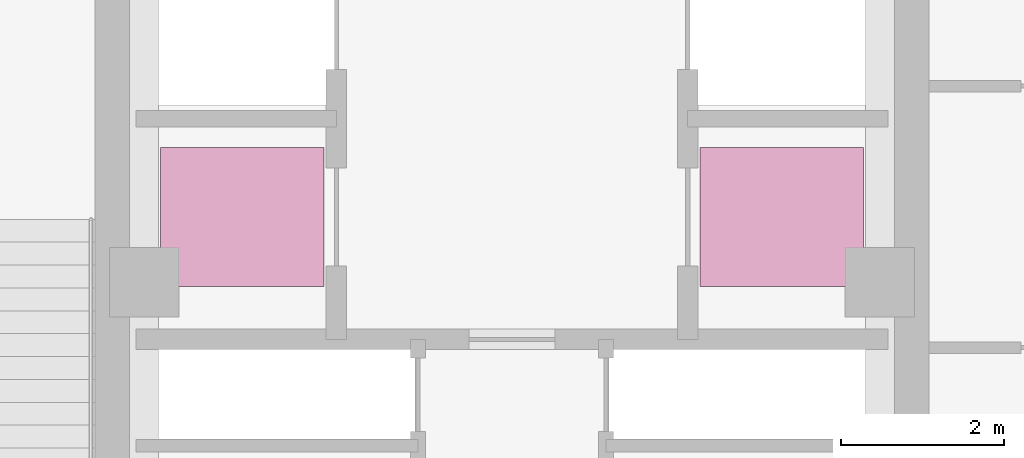
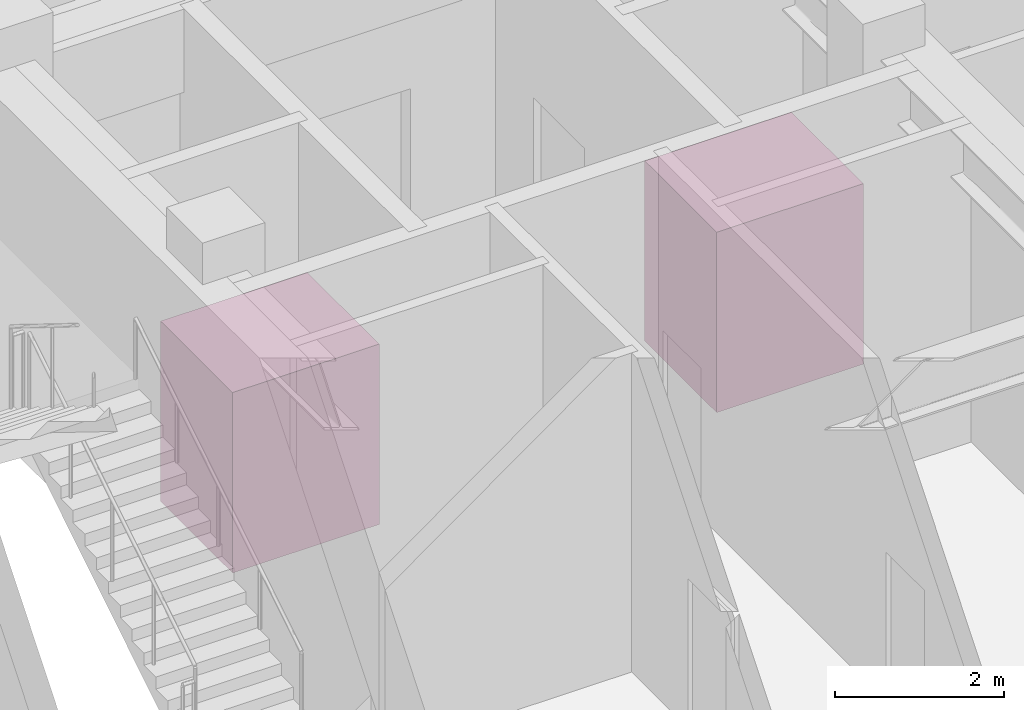
# One storey, part 34 of 34: 2 transport elements.
"""IFC4 building model written with IfcOpenShell, lengths in metres."""

from ifc_helpers import new_model, si_unit, direction, frame, origin, origin_2d, place, context, subcontext, project, spatial, rectangle, extrude, source, transform, mapped, material, type_object, element, save


model = new_model("IFC4")

# Units and contexts
model_context = context("Model", 3, precision=1e-05, world=origin(), true_north=direction((0.0, 1.0)))
body_context = subcontext(model_context, "Body", "Model", "MODEL_VIEW")
ifc_project = project(units=[si_unit("LENGTHUNIT", "METRE"), si_unit("AREAUNIT", "SQUARE_METRE"), si_unit("VOLUMEUNIT", "CUBIC_METRE"), si_unit("PLANEANGLEUNIT", "RADIAN"), si_unit("MASSUNIT", "GRAM", prefix="KILO")], contexts=[model_context])

# Site, building, storey
site_placement = place(None, origin())
site = spatial("IfcSite", under=ifc_project, at=site_placement, CompositionType="ELEMENT")
building_placement = place(site_placement, origin())
building = spatial("IfcBuilding", under=site, at=building_placement, Name="Khorayat Bourse Tower", CompositionType="ELEMENT")
storey_placement = place(building_placement, frame((0.0, 0.0, 144.699951171875)))
storey = spatial("IfcBuildingStorey", under=building, at=storey_placement, Name="L33", CompositionType="ELEMENT", Elevation=144.699951171875)

# Transport elements
ifc_material = material(Name="Brushed bronze elevator cab")
transport_element_type = type_object("IfcTransportElementType", Name="LFT-PASS-1600", PredefinedType="ELEVATOR", material=ifc_material)
shared_shape = source(origin(), body_context, "Body", "SweptSolid", [
    extrude(rectangle(XDim=2.0, YDim=1.699951171875, at=origin_2d()), origin(), (0.0, 0.0, 1.0), 2.60009765625),
])
for number, where, z_axis, x_axis, name in (
    (1, (-3.300048828125, 6.800048828125, 0.0), (0.0, 0.0, 1.0), (1.0, 0.0, 0.0), "Passenger Lift PL-M3 Car"),
    (2, (3.300048828125, 6.800048828125, 0.0), (0.0, 0.0, 1.0), (1.0, 0.0, 0.0), "Passenger Lift PL-M4 Car"),
):
    element("IfcTransportElement", number, at=place(storey_placement, frame(where, z_axis=z_axis, x_axis=x_axis)), inside=storey, type_object=transport_element_type, Name=name, PredefinedType="ELEVATOR", context=body_context, shape_type="MappedRepresentation", body=[
        mapped(shared_shape, transform((0.0, 0.0, 0.0), scale=1.0)),
    ])

save(model, "model.ifc")
